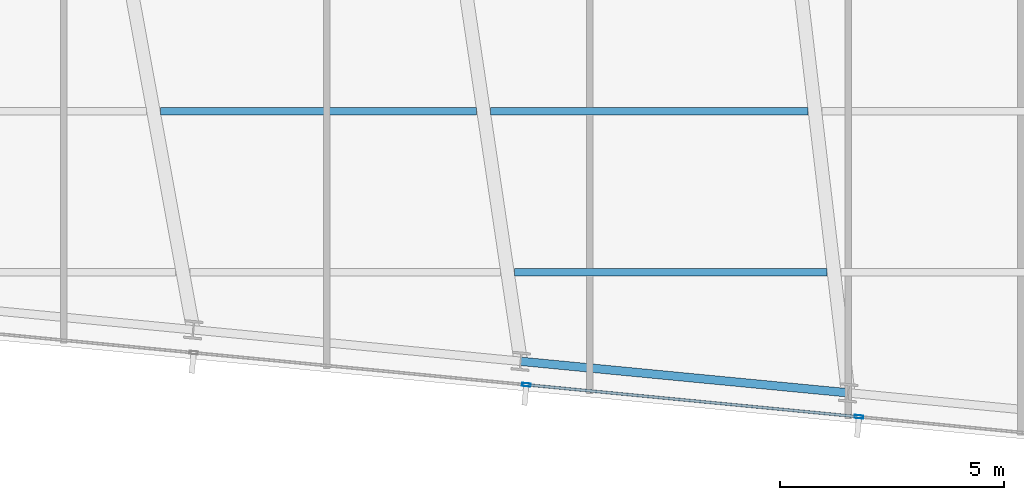
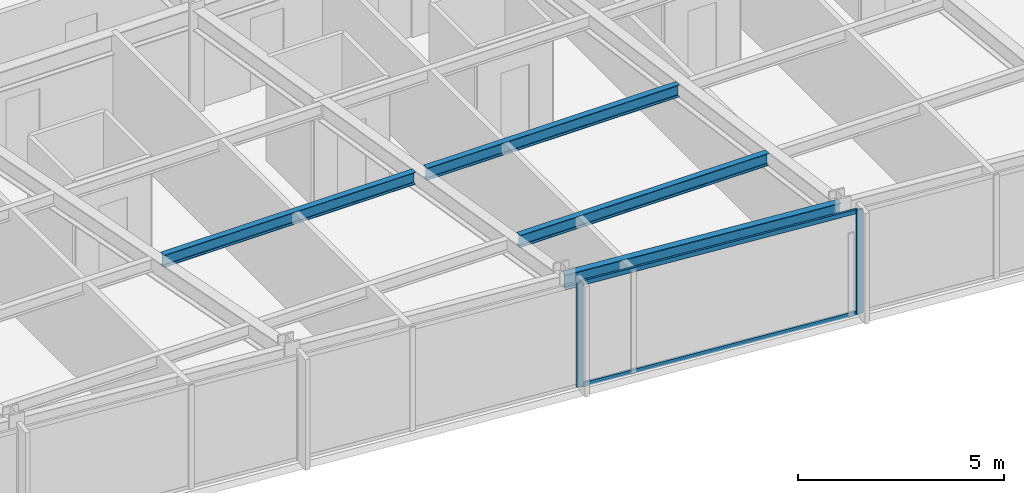
# One storey, part 12 of 37: 4 beams, 4 members, 1 element without a shape of its own.
"""IFC4 building model written with IfcOpenShell, lengths in metres."""

from ifc_helpers import new_model, si_unit, direction, frame, origin, origin_2d, place, context, subcontext, project, spatial, hollow_rectangle, i_section, extrude, material, material_profile, profile_set, type_object, element, aggregate, save


model = new_model("IFC4")

# Units and contexts
model_context = context("Model", 3, precision=1e-05, world=origin(), true_north=direction((0.0, 1.0)))
body_context = subcontext(model_context, "Body", "Model", "MODEL_VIEW")
ifc_project = project(units=[si_unit("LENGTHUNIT", "METRE"), si_unit("AREAUNIT", "SQUARE_METRE"), si_unit("VOLUMEUNIT", "CUBIC_METRE"), si_unit("PLANEANGLEUNIT", "RADIAN"), si_unit("MASSUNIT", "GRAM", prefix="KILO")], contexts=[model_context])

# Site, building, storey
site_placement = place(None, origin())
site = spatial("IfcSite", under=ifc_project, at=site_placement, CompositionType="ELEMENT")
building_placement = place(site_placement, origin())
building = spatial("IfcBuilding", under=site, at=building_placement, Name="Yelkora Congress Tower", CompositionType="ELEMENT")
storey_placement = place(building_placement, frame((0.0, 0.0, 162.199951171875)))
storey = spatial("IfcBuildingStorey", under=building, at=storey_placement, Name="L44", CompositionType="ELEMENT", Elevation=162.199951171875)

# Beams
ifc_material_1 = material(Name="Steel S355J2", Category="steel")
ifc_material_profile_1 = material_profile(ifc_material_1, i_section(OverallWidth=0.169921875, OverallDepth=0.360107421875, WebThickness=0.008056640625, FlangeThickness=0.0126953125, FilletRadius=0.01806640625, at=origin_2d()), Name="IPE 360")
ifc_profile_set_1 = profile_set([ifc_material_profile_1], Name="Steel S355J2")
beam_type_1 = type_object("IfcBeamType", Name="BM-JOIST-IPE360", PredefinedType="JOIST", material=ifc_profile_set_1)
beam_1_placement = place(storey_placement, frame((40.39990234375, 12.8212890625, 2.900146484375), z_axis=(1.0, 0.0, 0.0), x_axis=(0.0, 1.0, 0.0)))
element("IfcBeam", 1, at=beam_1_placement, inside=storey, type_object=beam_type_1, Name="L44 Composite Floor Joist 3", PredefinedType="JOIST", context=body_context, shape_type="SweptSolid", body=[
    extrude(i_section(OverallWidth=0.169921875, OverallDepth=0.360107421875, WebThickness=0.008056640625, FlangeThickness=0.0126953125, FilletRadius=0.01806640625, at=origin_2d()), origin(), (0.0, 0.0, 1.0), 6.98095703125),
])
beam_2_placement = place(storey_placement, frame((32.481201171875, 16.421142578125, 2.900146484375), z_axis=(1.0, 0.0, 0.0), x_axis=(0.0, 1.0, 0.0)))
element("IfcBeam", 2, at=beam_2_placement, inside=storey, type_object=beam_type_1, Name="L44 Composite Floor Joist 9", PredefinedType="JOIST", context=body_context, shape_type="SweptSolid", body=[
    extrude(i_section(OverallWidth=0.169921875, OverallDepth=0.360107421875, WebThickness=0.008056640625, FlangeThickness=0.0126953125, FilletRadius=0.01806640625, at=origin_2d()), origin(), (0.0, 0.0, 1.0), 7.063720703125),
])
beam_3_placement = place(storey_placement, frame((39.86474609375, 16.421142578125, 2.900146484375), z_axis=(1.0, 0.0, 0.0), x_axis=(0.0, 1.0, 0.0)))
element("IfcBeam", 3, at=beam_3_placement, inside=storey, type_object=beam_type_1, Name="L44 Composite Floor Joist 10", PredefinedType="JOIST", context=body_context, shape_type="SweptSolid", body=[
    extrude(i_section(OverallWidth=0.169921875, OverallDepth=0.360107421875, WebThickness=0.008056640625, FlangeThickness=0.0126953125, FilletRadius=0.01806640625, at=origin_2d()), origin(), (0.0, 0.0, 1.0), 7.09130859375),
])
ifc_material_profile_2 = material_profile(ifc_material_1, i_section(OverallWidth=0.18994140625, OverallDepth=0.449951171875, WebThickness=0.009521484375, FlangeThickness=0.0146484375, FilletRadius=0.02099609375, at=origin_2d()), Name="IPE 450")
ifc_profile_set_2 = profile_set([ifc_material_profile_2], Name="Steel S355J2")
beam_type_2 = type_object("IfcBeamType", Name="BM-SPAN-IPE450", PredefinedType="SPANDREL", material=ifc_profile_set_2)
beam_4_placement = place(storey_placement, frame((40.53564453125, 10.83154296875, 2.85498046875), z_axis=(0.995397104697, -0.095836339457, 0.0), x_axis=(0.095836339457, 0.995397104697, 0.0)))
element("IfcBeam", 4, at=beam_4_placement, inside=storey, type_object=beam_type_2, Name="L44 Perimeter Beam 7", PredefinedType="SPANDREL", context=body_context, shape_type="SweptSolid", body=[
    extrude(i_section(OverallWidth=0.18994140625, OverallDepth=0.449951171875, WebThickness=0.009521484375, FlangeThickness=0.0146484375, FilletRadius=0.02099609375, at=origin_2d()), origin(), (0.0, 0.0, 1.0), 7.357177734375),
])

# Curtain wall, members
ifc_material_2 = material(Name="Anodised aluminium and insulated glass", Category="aluminium")
curtain_wall_type = type_object("IfcCurtainWallType", Name="CW-SYS-B3", PredefinedType="NOTDEFINED", material=ifc_material_2)
curtain_wall_placement = place(storey_placement, origin())
curtain_wall = element("IfcCurtainWall", 5, at=curtain_wall_placement, inside=storey, type_object=curtain_wall_type, Name="L44 Unitised Curtain Wall 20", PredefinedType="NOTDEFINED")
ifc_material_3 = material(Name="Anodised aluminium 6063-T6", Category="aluminium")
ifc_material_profile_3 = material_profile(ifc_material_3, hollow_rectangle(XDim=0.070068359375, YDim=0.18994140625, WallThickness=0.00390625, at=origin_2d()), Name="ALU 70x190x4")
ifc_profile_set_3 = profile_set([ifc_material_profile_3], Name="Anodised aluminium 6063-T6")
member_type_1 = type_object("IfcMemberType", Name="MEM-ML-B3", PredefinedType="MULLION", material=ifc_profile_set_3)
member_1_placement = place(storey_placement, frame((48.1015625, 9.590576171875, 0.0), z_axis=(0.0, 0.0, 1.0), x_axis=(-0.095844680679, -0.995396301573, 0.0)))
member_1 = element("IfcMember", 6, at=member_1_placement, type_object=member_type_1, Name="CW-B3 mullion 2", PredefinedType="MULLION", context=body_context, shape_type="SweptSolid", body=[
    extrude(hollow_rectangle(XDim=0.070068359375, YDim=0.18994140625, WallThickness=0.00390625, at=origin_2d()), origin(), (0.0, 0.0, 1.0), 3.080078125),
])
member_2_placement = place(storey_placement, frame((40.66162109375, 10.30712890625, 0.0), z_axis=(0.0, 0.0, 1.0), x_axis=(-0.095844680679, -0.995396301573, 0.0)))
member_2 = element("IfcMember", 7, at=member_2_placement, type_object=member_type_1, Name="CW-B3 mullion 3", PredefinedType="MULLION", context=body_context, shape_type="SweptSolid", body=[
    extrude(hollow_rectangle(XDim=0.070068359375, YDim=0.18994140625, WallThickness=0.00390625, at=origin_2d()), origin(), (0.0, 0.0, 1.0), 3.080078125),
])
ifc_material_profile_4 = material_profile(ifc_material_3, hollow_rectangle(XDim=0.06005859375, YDim=0.1298828125, WallThickness=0.00390625, at=origin_2d()), Name="ALU 60x130x4")
ifc_profile_set_4 = profile_set([ifc_material_profile_4], Name="Anodised aluminium 6063-T6")
member_type_2 = type_object("IfcMemberType", Name="MEM-TR-B3", PredefinedType="USERDEFINED", material=ifc_profile_set_4)
member_3_placement = place(storey_placement, frame((48.066650390625, 9.593994140625, 0.030029296875), z_axis=(-0.99539548672, 0.095853142967, 0.0), x_axis=(-0.095853142967, -0.99539548672, 0.0)))
member_3 = element("IfcMember", 8, at=member_3_placement, type_object=member_type_2, Name="CW-B3 transom 2.1", ObjectType="TRANSOM", PredefinedType="USERDEFINED", context=body_context, shape_type="SweptSolid", body=[
    extrude(hollow_rectangle(XDim=0.06005859375, YDim=0.1298828125, WallThickness=0.00390625, at=origin_2d()), origin(), (0.0, 0.0, 1.0), 7.404296875),
])
member_4_placement = place(storey_placement, frame((48.066650390625, 9.593994140625, 3.050048828125), z_axis=(-0.99539548672, 0.095853142967, 0.0), x_axis=(-0.095853142967, -0.99539548672, 0.0)))
member_4 = element("IfcMember", 9, at=member_4_placement, type_object=member_type_2, Name="CW-B3 transom 2.2", ObjectType="TRANSOM", PredefinedType="USERDEFINED", context=body_context, shape_type="SweptSolid", body=[
    extrude(hollow_rectangle(XDim=0.06005859375, YDim=0.1298828125, WallThickness=0.00390625, at=origin_2d()), origin(), (0.0, 0.0, 1.0), 7.404296875),
])
aggregate(curtain_wall, [member_1, member_2, member_3, member_4])

save(model, "model.ifc")
